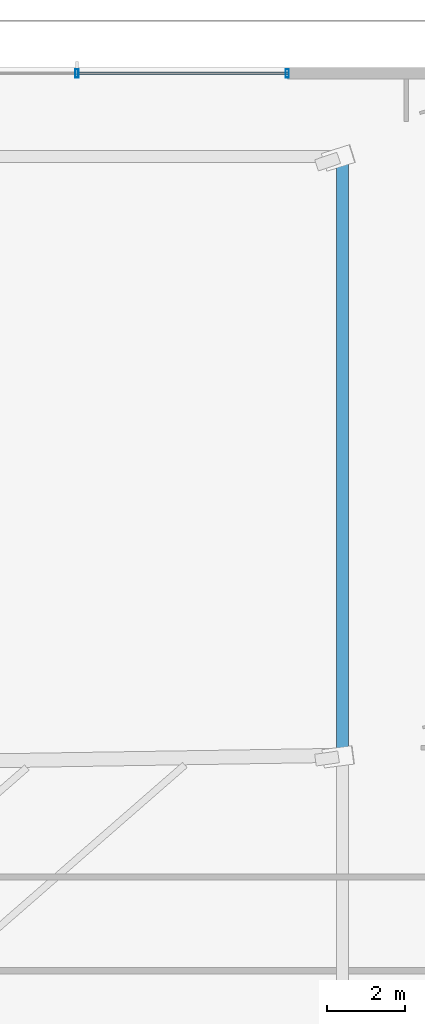
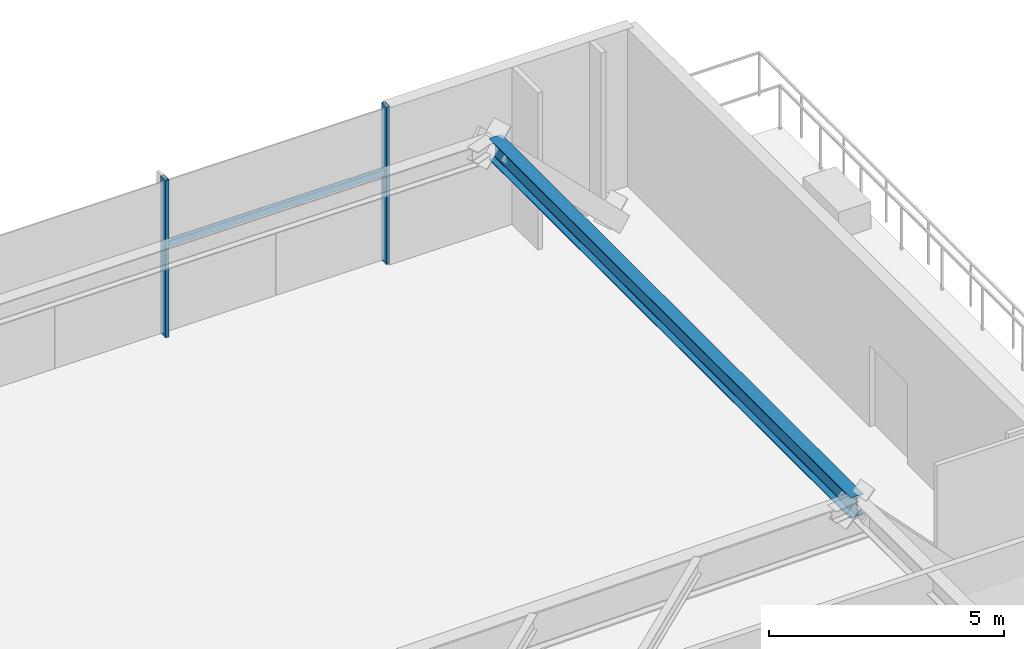
# One storey, part 22 of 36: 3 members, 1 beam, 1 element without a shape of its own.
"""IFC4 building model written with IfcOpenShell, lengths in metres."""

from ifc_helpers import new_model, si_unit, direction, frame, origin, origin_2d, place, context, subcontext, project, spatial, hollow_rectangle, i_section, extrude, source, transform, mapped, material, material_profile, profile_set, type_object, type_shapes, element, aggregate, save


model = new_model("IFC4")

# Units and contexts
model_context = context("Model", 3, precision=1e-05, world=origin(), true_north=direction((0.0, 1.0)))
body_context = subcontext(model_context, "Body", "Model", "MODEL_VIEW")
ifc_project = project(units=[si_unit("LENGTHUNIT", "METRE"), si_unit("AREAUNIT", "SQUARE_METRE"), si_unit("VOLUMEUNIT", "CUBIC_METRE"), si_unit("PLANEANGLEUNIT", "RADIAN"), si_unit("MASSUNIT", "GRAM", prefix="KILO")], contexts=[model_context])

# Site, building, storey
site_placement = place(None, origin())
site = spatial("IfcSite", under=ifc_project, at=site_placement, CompositionType="ELEMENT")
building_placement = place(site_placement, origin())
building = spatial("IfcBuilding", under=site, at=building_placement, Name="Astriad Promenade Condominiums", CompositionType="ELEMENT")
storey_placement = place(building_placement, frame((0.0, 0.0, 5.0)))
storey = spatial("IfcBuildingStorey", under=building, at=storey_placement, Name="L01", CompositionType="ELEMENT", Elevation=5.0)

# Beam
ifc_material_1 = material(Name="Steel ASTM A992 Grade 50", Category="steel")
ifc_material_profile_1 = material_profile(ifc_material_1, i_section(OverallWidth=0.3134765625, OverallDepth=0.54638671875, WebThickness=0.013916015625, FlangeThickness=0.022216796875, FilletRadius=0.0166015625, at=origin_2d()), Name="W21X111")
ifc_profile_set_1 = profile_set([ifc_material_profile_1], Name="Steel ASTM A992 Grade 50")
beam_type = type_object("IfcBeamType", Name="STEEL SPANDREL BEAM W21X111", PredefinedType="SPANDREL", material=ifc_profile_set_1)
shared_shape_1 = source(origin(), body_context, "Body", "SweptSolid", [
    extrude(i_section(OverallWidth=0.3134765625, OverallDepth=0.54638671875, WebThickness=0.013916015625, FlangeThickness=0.022216796875, FilletRadius=0.0166015625, at=origin_2d()), origin(), (0.0, 0.0, 1.0), 15.386962890625),
])
type_shapes(beam_type, [shared_shape_1])
beam_placement = place(storey_placement, frame((74.474365234375, 17.87353515625, 3.806884765625), z_axis=(1.586672e-05, 0.999999999874, 0.0), x_axis=(-0.999999999874, 1.586672e-05, 0.0)))
element("IfcBeam", 1, at=beam_placement, inside=storey, type_object=beam_type, Name="Perimeter Spandrel Beam SP-E2-L01", PredefinedType="SPANDREL", context=body_context, shape_type="MappedRepresentation", body=[
    mapped(shared_shape_1, transform((0.0, 0.0, 0.0), scale=1.0)),
])

# Curtain wall, members
ifc_material_2 = material(Name="Anodised aluminium Black Dark Glass Unitised", Category="aluminium")
curtain_wall_type = type_object("IfcCurtainWallType", Name="CW-POD-DARK", PredefinedType="USERDEFINED", material=ifc_material_2)
curtain_wall_placement = place(storey_placement, origin())
curtain_wall = element("IfcCurtainWall", 2, at=curtain_wall_placement, inside=storey, type_object=curtain_wall_type, Name="CW-L01-N", ObjectType="UNITISED_CURTAIN_WALL", PredefinedType="USERDEFINED")
ifc_material_3 = material(Name="Anodised aluminium 6063-T6 Black", Category="aluminium")
ifc_material_profile_2 = material_profile(ifc_material_3, hollow_rectangle(XDim=0.0849609375, YDim=0.219970703125, WallThickness=0.0048828125, at=origin_2d()), Name="ALU-MUL-85X220")
ifc_profile_set_2 = profile_set([ifc_material_profile_2], Name="Anodised aluminium 6063-T6 Black")
member_type_1 = type_object("IfcMemberType", Name="MUL-ALU-MUL-85X220", PredefinedType="MULLION", material=ifc_profile_set_2)
shared_shape_2 = source(origin(), body_context, "Body", "SweptSolid", [
    extrude(hollow_rectangle(XDim=0.0849609375, YDim=0.219970703125, WallThickness=0.0048828125, at=origin_2d()), origin(), (0.0, 0.0, 1.0), 4.080078125),
])
type_shapes(member_type_1, [shared_shape_2])
member_1_placement = place(storey_placement, frame((67.625, 35.449951171875, 0.0), z_axis=(0.0, 0.0, 1.0), x_axis=(1.0, 0.0, 0.0)))
member_1 = element("IfcMember", 3, at=member_1_placement, type_object=member_type_1, Name="CW-L01-N-MUL-11", PredefinedType="MULLION", context=body_context, shape_type="MappedRepresentation", body=[
    mapped(shared_shape_2, transform((0.0, 0.0, 0.0), scale=1.0)),
])
member_2_placement = place(storey_placement, frame((73.050048828125, 35.449951171875, 0.0), z_axis=(0.0, 0.0, 1.0), x_axis=(1.0, 0.0, 0.0)))
member_2 = element("IfcMember", 4, at=member_2_placement, type_object=member_type_1, Name="CW-L01-N-MUL-12", PredefinedType="MULLION", context=body_context, shape_type="MappedRepresentation", body=[
    mapped(shared_shape_2, transform((0.0, 0.0, 0.0), scale=1.0)),
])
ifc_material_profile_3 = material_profile(ifc_material_3, hollow_rectangle(XDim=0.074951171875, YDim=0.14990234375, WallThickness=0.004150390625, at=origin_2d()), Name="ALU-TRN-75X150")
ifc_profile_set_3 = profile_set([ifc_material_profile_3], Name="Anodised aluminium 6063-T6 Black")
member_type_2 = type_object("IfcMemberType", Name="TRN-ALU-TRN-75X150", PredefinedType="USERDEFINED", material=ifc_profile_set_3)
shared_shape_3 = source(origin(), body_context, "Body", "SweptSolid", [
    extrude(hollow_rectangle(XDim=0.074951171875, YDim=0.14990234375, WallThickness=0.004150390625, at=origin_2d()), origin(), (0.0, 0.0, 1.0), 5.425048828125),
])
type_shapes(member_type_2, [shared_shape_3])
member_3_placement = place(storey_placement, frame((67.625, 35.449951171875, 2.35009765625), z_axis=(1.0, 0.0, 0.0), x_axis=(0.0, 1.0, 0.0)))
member_3 = element("IfcMember", 5, at=member_3_placement, type_object=member_type_2, Name="CW-L01-N-TRN-11-0", ObjectType="TRANSOM", PredefinedType="USERDEFINED", context=body_context, shape_type="MappedRepresentation", body=[
    mapped(shared_shape_3, transform((0.0, 0.0, 0.0), scale=1.0)),
])
aggregate(curtain_wall, [member_1, member_2, member_3])

save(model, "model.ifc")
